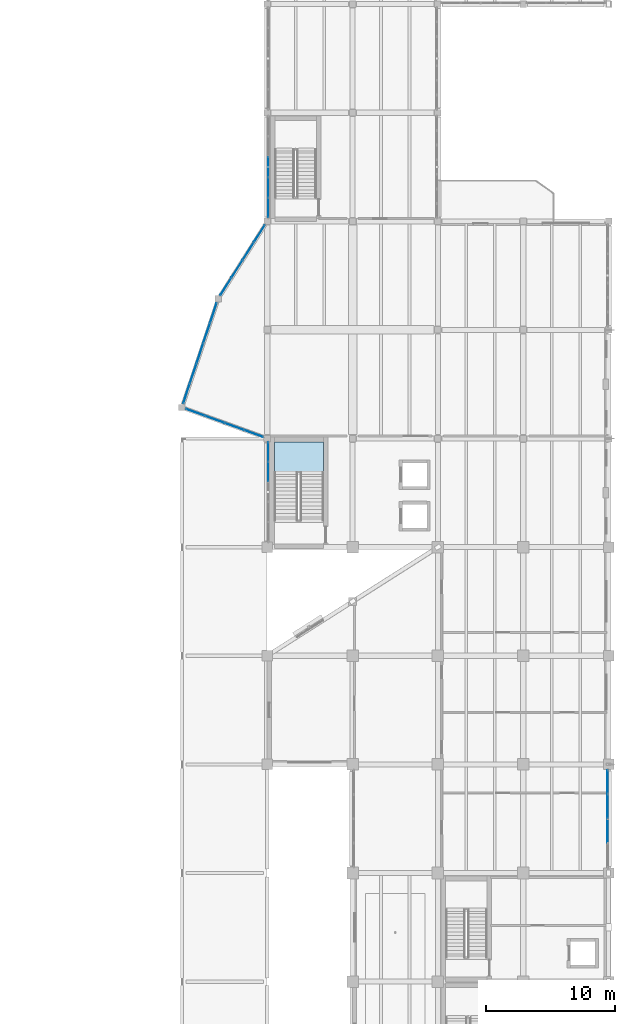
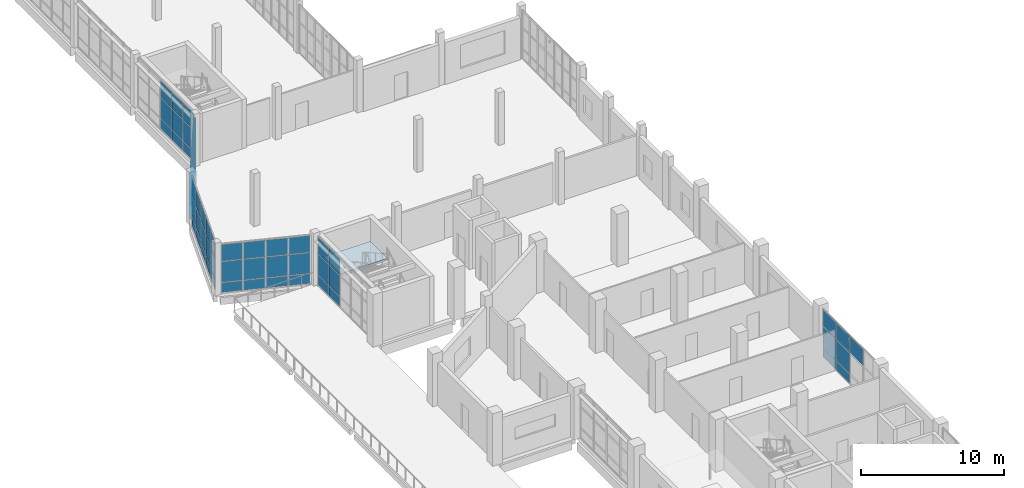
# One storey, part 44 of 83: 61 plates, 1 slab, 7 elements without a shape of their own.
"""IFC4 building model written with IfcOpenShell, lengths in metres."""

import ifcopenshell
import ifcopenshell.guid

model = None  # the IFC model being written
_history = None  # IfcOwnerHistory: only IFC2X3 demands one
_inside = {}  # id of a spatial element -> (the spatial element, [elements in it])
_under = {}  # id of a project, library or spatial element -> (it, [spatial elements below it])
_declared = {}  # id of a project -> (the project, [libraries it declares])
_typed = {}  # id of a type object -> (the type object, [elements of that type])
_made_of = {}  # id of a material, layer set ... -> (it, [elements and type objects made of it])


def new_model(schema):
    """Start an empty IFC model of exactly this schema.

    Asked for "IFC4X3", IfcOpenShell would pick the latest addendum, in which some entities
    have other attributes; the version numbers below select the first issue.
    IFC2X3 requires an IfcOwnerHistory on every rooted entity: one is made here for all.
    """
    global model, _history
    if schema == "IFC4X3":
        model = ifcopenshell.file(schema_version=(4, 3, 0, 0))
    else:
        model = ifcopenshell.file(schema=schema)
    _inside.clear()
    _under.clear()
    _declared.clear()
    _typed.clear()
    _made_of.clear()
    _history = None
    if model.schema == "IFC2X3":
        org = make("IfcOrganization", Name="unknown")
        user = make(
            "IfcPersonAndOrganization",
            ThePerson=make("IfcPerson", FamilyName="unknown"),
            TheOrganization=org,
        )
        app = make(
            "IfcApplication",
            ApplicationDeveloper=org,
            Version="unknown",
            ApplicationFullName="unknown",
            ApplicationIdentifier="unknown",
        )
        _history = make(
            "IfcOwnerHistory",
            OwningUser=user,
            OwningApplication=app,
            ChangeAction="ADDED",
            CreationDate=0,
        )
    return model


def make(cls, **values):
    """One entity of the class cls with the attributes given. An attribute that is None is left unset."""
    return model.create_entity(
        cls, **{name: value for name, value in values.items() if value is not None}
    )


def rooted(cls, **values):
    """An entity with a GlobalId (a new one), such as an element, a storey or a relation."""
    return make(cls, GlobalId=ifcopenshell.guid.new(), OwnerHistory=_history, **values)


def si_unit(unit_type, name, prefix=None):
    """IfcSIUnit, for example si_unit("LENGTHUNIT", "METRE", prefix="MILLI")."""
    return make("IfcSIUnit", UnitType=unit_type, Prefix=prefix, Name=name)


def assignment(units):
    """IfcUnitAssignment: the units of a project."""
    return None if units is None else make("IfcUnitAssignment", Units=units)


def point(xyz):
    """IfcCartesianPoint."""
    return None if xyz is None else make("IfcCartesianPoint", Coordinates=xyz)


def direction(xyz):
    """IfcDirection."""
    return None if xyz is None else make("IfcDirection", DirectionRatios=xyz)


def frame(location, z_axis=None, x_axis=None):
    """IfcAxis2Placement3D, a coordinate frame: its origin and axes. An axis left out is left unset."""
    return make(
        "IfcAxis2Placement3D",
        Location=point(location),
        Axis=direction(z_axis),
        RefDirection=direction(x_axis),
    )


def frame_2d(location, x_axis=None):
    """IfcAxis2Placement2D, a coordinate frame in the plane: its origin and x axis."""
    return make(
        "IfcAxis2Placement2D", Location=point(location), RefDirection=direction(x_axis)
    )


def origin():
    """The frame at (0, 0, 0) with its axes left unset."""
    return frame((0.0, 0.0, 0.0))


def origin_2d():
    """The frame at (0, 0) in the plane with its x axis left unset."""
    return frame_2d((0.0, 0.0))


def place(relative_to, where):
    """IfcLocalPlacement: puts the frame where relative to a parent placement (None: the world)."""
    return make(
        "IfcLocalPlacement", PlacementRelTo=relative_to, RelativePlacement=where
    )


def context(
    kind, dimensions, precision=None, world=None, true_north=None, identifier=None
):
    """IfcGeometricRepresentationContext, for example the 3D "Model" context."""
    return make(
        "IfcGeometricRepresentationContext",
        ContextIdentifier=identifier,
        ContextType=kind,
        CoordinateSpaceDimension=dimensions,
        Precision=precision,
        WorldCoordinateSystem=world,
        TrueNorth=true_north,
    )


def subcontext(parent, identifier, kind, view, scale=None):
    """IfcGeometricRepresentationSubContext, for example "Body" below "Model"."""
    return make(
        "IfcGeometricRepresentationSubContext",
        ContextIdentifier=identifier,
        ContextType=kind,
        ParentContext=parent,
        TargetScale=scale,
        TargetView=view,
    )


def project(units=None, contexts=None):
    """IfcProject with its units and contexts."""
    return rooted(
        "IfcProject",
        Name="project",
        RepresentationContexts=contexts,
        UnitsInContext=assignment(units),
    )


def spatial(cls, under=None, at=None, **own):
    """A site, building, storey or space (cls), placed at a placement, below another one or the project."""
    s = rooted(cls, ObjectPlacement=at, **own)
    if under is not None:
        _under.setdefault(under.id(), (under, []))[1].append(s)
    return s


def polyline(points):
    """IfcPolyline through the points."""
    return make("IfcPolyline", Points=[point(p) for p in points])


def profile(cls, at=None, kind="AREA", **sizes):
    """A parametric profile (cls). Its sizes go by their IFC names, for example OverallWidth=200.0."""
    return make(cls, ProfileType=kind, Position=at, **sizes)


def rectangle(**sizes):
    """IfcRectangleProfileDef."""
    return profile("IfcRectangleProfileDef", **sizes)


def outline(outer, holes=None, kind="AREA"):
    """IfcArbitraryClosedProfileDef: a profile drawn as a closed curve; with holes, ...WithVoids."""
    if holes is None:
        return make("IfcArbitraryClosedProfileDef", ProfileType=kind, OuterCurve=outer)
    return make(
        "IfcArbitraryProfileDefWithVoids",
        ProfileType=kind,
        OuterCurve=outer,
        InnerCurves=holes,
    )


def extrude(swept, where, along, depth):
    """IfcExtrudedAreaSolid: the profile swept, set in the frame where, extruded along a direction by depth."""
    return make(
        "IfcExtrudedAreaSolid",
        SweptArea=swept,
        Position=where,
        ExtrudedDirection=direction(along),
        Depth=depth,
    )


def shape(context_of_items, identifier, shape_type, items):
    """IfcShapeRepresentation: the items that make up one representation, for example the "Body"."""
    return make(
        "IfcShapeRepresentation",
        ContextOfItems=context_of_items,
        RepresentationIdentifier=identifier,
        RepresentationType=shape_type,
        Items=items,
    )


def material(Name=None, Category=None):
    """IfcMaterial."""
    return make("IfcMaterial", Name=Name, Category=Category)


def layer(
    of_material, thickness, ventilated=None, Name=None, Category=None, Priority=None
):
    """IfcMaterialLayer: one layer of a wall or slab, of a material (None: an air gap)."""
    return make(
        "IfcMaterialLayer",
        Material=of_material,
        LayerThickness=thickness,
        IsVentilated=ventilated,
        Name=Name,
        Category=Category,
        Priority=Priority,
    )


def layer_set(layers, Name=None):
    """IfcMaterialLayerSet."""
    return make("IfcMaterialLayerSet", MaterialLayers=layers, LayerSetName=Name)


def made_of(thing, what):
    """Note that an element or type object is made of a material, layer set ...; save() writes the relation."""
    if what is not None:
        _made_of.setdefault(what.id(), (what, []))[1].append(thing)
    return thing


def type_object(cls, material=None, **own):
    """A type object (cls), such as IfcWallType, which elements share."""
    return made_of(rooted(cls, **own), material)


def element(
    cls,
    number,
    at=None,
    inside=None,
    cuts=None,
    type_object=None,
    material=None,
    context=None,
    identifier="Body",
    shape_type=None,
    held_by="IfcProductDefinitionShape",
    body=None,
    shapes=None,
    **own,
):
    """One element of the class cls, such as IfcWall. Its Tag is "e" and its number.

    at: its placement. inside: the storey or other place that contains it. cuts: it is an
    opening in that element (IfcRelVoidsElement). A single representation is given by context,
    identifier, shape_type and body (its items); several are given by shapes. held_by: the class
    of the entity that holds the representations. save() writes the other relations.
    """
    e = rooted(cls, Tag="e%d" % number, ObjectPlacement=at, **own)
    if body is not None:
        shapes = [shape(context, identifier, shape_type, body)]
    if shapes is not None:
        e.Representation = make(held_by, Representations=shapes)
    if inside is not None:
        _inside.setdefault(inside.id(), (inside, []))[1].append(e)
    if cuts is not None:
        rooted(
            "IfcRelVoidsElement", RelatingBuildingElement=cuts, RelatedOpeningElement=e
        )
    if type_object is not None:
        _typed.setdefault(type_object.id(), (type_object, []))[1].append(e)
    return made_of(e, material)


def aggregate(whole, parts):
    """IfcRelAggregates: a whole, such as a stair, and the parts it consists of."""
    return rooted("IfcRelAggregates", RelatingObject=whole, RelatedObjects=parts)


def save(model, path):
    """Write the relations noted so far, then the file.

    IfcRelAggregates (storeys below a building ...), IfcRelContainedInSpatialStructure (elements
    in a storey), IfcRelDefinesByType, IfcRelAssociatesMaterial and IfcRelDeclares: one each for
    every whole, place, type object, material and project.
    """
    for whole, parts in _under.values():
        aggregate(whole, parts)
    for where, things in _inside.values():
        rooted(
            "IfcRelContainedInSpatialStructure",
            RelatedElements=things,
            RelatingStructure=where,
        )
    for kind, things in _typed.values():
        rooted("IfcRelDefinesByType", RelatedObjects=things, RelatingType=kind)
    for what, things in _made_of.values():
        rooted("IfcRelAssociatesMaterial", RelatedObjects=things, RelatingMaterial=what)
    for by, libraries in _declared.values():
        rooted("IfcRelDeclares", RelatingContext=by, RelatedDefinitions=libraries)
    model.write(path)


model = new_model("IFC4")

# Units and contexts
model_context = context("Model", 3, precision=1e-05, world=origin(), true_north=direction((0.0, 1.0)))
body_context = subcontext(model_context, "Body", "Model", "MODEL_VIEW")
ifc_project = project(units=[si_unit("LENGTHUNIT", "METRE"), si_unit("AREAUNIT", "SQUARE_METRE"), si_unit("VOLUMEUNIT", "CUBIC_METRE"), si_unit("PLANEANGLEUNIT", "RADIAN"), si_unit("MASSUNIT", "GRAM", prefix="KILO")], contexts=[model_context])

# Site, building, storey
site_placement = place(None, origin())
site = spatial("IfcSite", under=ifc_project, at=site_placement, CompositionType="ELEMENT")
building_placement = place(site_placement, origin())
building = spatial("IfcBuilding", under=site, at=building_placement, Name="Qaldarim Faculty of Natural and Applied Sciences", CompositionType="ELEMENT")
storey_placement = place(building_placement, frame((0.0, 0.0, 5.39990234375)))
storey = spatial("IfcBuildingStorey", under=building, at=storey_placement, Name="L01", CompositionType="ELEMENT", Elevation=5.39990234375)

# Curtain wall, plates
ifc_material_1 = material(Name="Anodised aluminium AW-6063", Category="aluminium")
curtain_wall_type_1 = type_object("IfcCurtainWallType", Name="CurtainWallSystem-M1700", PredefinedType="USERDEFINED", material=ifc_material_1)
curtain_wall_1_placement = place(storey_placement, origin())
curtain_wall_1 = element("IfcCurtainWall", 1, at=curtain_wall_1_placement, inside=storey, type_object=curtain_wall_type_1, Name="Curtain wall CW-L01-E-X27Y05", ObjectType="UNITISED FACADE", PredefinedType="USERDEFINED")
ifc_material_2 = material(Name="Insulated low-e double glazing", Category="glass")
ifc_layer_1 = layer(ifc_material_2, 0.031982421875)
ifc_layer_set_1 = layer_set([ifc_layer_1], Name="Insulated low-e double glazing")
plate_type_1 = type_object("IfcPlateType", Name="SolarControlGlazingPanel-32", PredefinedType="CURTAIN_PANEL", material=ifc_layer_set_1)
plate_1_placement = place(storey_placement, frame((178.1201171875, 36.8486328125, 2.735107421875), z_axis=(0.0, 0.0, 1.0), x_axis=(0.0, 1.0, 0.0)))
plate_1 = element("IfcPlate", 2, at=plate_1_placement, type_object=plate_type_1, Name="Glazed panel 2-3 of CW-L01-E-X27Y05", PredefinedType="CURTAIN_PANEL", context=body_context, shape_type="SweptSolid", body=[
    extrude(rectangle(XDim=1.83251953125, YDim=0.031982421875, at=origin_2d()), origin(), (0.0, 0.0, 1.0), 1.39501953125),
])
plate_2_placement = place(storey_placement, frame((178.1201171875, 38.751220703125, 0.070068359375), z_axis=(0.0, 0.0, 1.0), x_axis=(0.0, 1.0, 0.0)))
plate_2 = element("IfcPlate", 3, at=plate_2_placement, type_object=plate_type_1, Name="Glazed panel 3-1 of CW-L01-E-X27Y05", PredefinedType="CURTAIN_PANEL", context=body_context, shape_type="SweptSolid", body=[
    extrude(rectangle(XDim=1.83251953125, YDim=0.031982421875, at=origin_2d()), origin(), (0.0, 0.0, 1.0), 0.794921875),
])
plate_3_placement = place(storey_placement, frame((178.1201171875, 38.751220703125, 0.93505859375), z_axis=(0.0, 0.0, 1.0), x_axis=(0.0, 1.0, 0.0)))
plate_3 = element("IfcPlate", 4, at=plate_3_placement, type_object=plate_type_1, Name="Glazed panel 3-2 of CW-L01-E-X27Y05", PredefinedType="CURTAIN_PANEL", context=body_context, shape_type="SweptSolid", body=[
    extrude(rectangle(XDim=1.83251953125, YDim=0.031982421875, at=origin_2d()), origin(), (0.0, 0.0, 1.0), 1.72998046875),
])
plate_4_placement = place(storey_placement, frame((178.1201171875, 38.751220703125, 2.735107421875), z_axis=(0.0, 0.0, 1.0), x_axis=(0.0, 1.0, 0.0)))
plate_4 = element("IfcPlate", 5, at=plate_4_placement, type_object=plate_type_1, Name="Glazed panel 3-3 of CW-L01-E-X27Y05", PredefinedType="CURTAIN_PANEL", context=body_context, shape_type="SweptSolid", body=[
    extrude(rectangle(XDim=1.83251953125, YDim=0.031982421875, at=origin_2d()), origin(), (0.0, 0.0, 1.0), 1.39501953125),
])
plate_5_placement = place(storey_placement, frame((178.1201171875, 40.63623046875, 0.070068359375), z_axis=(0.0, 0.0, 1.0), x_axis=(0.0, 1.0, 0.0)))
plate_5 = element("IfcPlate", 6, at=plate_5_placement, type_object=plate_type_1, Name="Glazed panel 4-1 of CW-L01-E-X27Y05", PredefinedType="CURTAIN_PANEL", context=body_context, shape_type="SweptSolid", body=[
    extrude(rectangle(XDim=1.797607421875, YDim=0.031982421875, at=origin_2d()), origin(), (0.0, 0.0, 1.0), 0.794921875),
])
plate_6_placement = place(storey_placement, frame((178.1201171875, 40.63623046875, 0.93505859375), z_axis=(0.0, 0.0, 1.0), x_axis=(0.0, 1.0, 0.0)))
plate_6 = element("IfcPlate", 7, at=plate_6_placement, type_object=plate_type_1, Name="Glazed panel 4-2 of CW-L01-E-X27Y05", PredefinedType="CURTAIN_PANEL", context=body_context, shape_type="SweptSolid", body=[
    extrude(rectangle(XDim=1.797607421875, YDim=0.031982421875, at=origin_2d()), origin(), (0.0, 0.0, 1.0), 1.72998046875),
])
plate_7_placement = place(storey_placement, frame((178.1201171875, 40.63623046875, 2.735107421875), z_axis=(0.0, 0.0, 1.0), x_axis=(0.0, 1.0, 0.0)))
plate_7 = element("IfcPlate", 8, at=plate_7_placement, type_object=plate_type_1, Name="Glazed panel 4-3 of CW-L01-E-X27Y05", PredefinedType="CURTAIN_PANEL", context=body_context, shape_type="SweptSolid", body=[
    extrude(rectangle(XDim=1.797607421875, YDim=0.031982421875, at=origin_2d()), origin(), (0.0, 0.0, 1.0), 1.39501953125),
])
aggregate(curtain_wall_1, [plate_1, plate_2, plate_3, plate_4, plate_5, plate_6, plate_7])

# Stair, slab
ifc_material_3 = material(Name="Concrete C40/50", Category="concrete")
stair_type = type_object("IfcStairType", Name="DoglegStair-W1800-H4500-28R", PredefinedType="HALF_TURN_STAIR", material=ifc_material_3)
stair_placement = place(storey_placement, origin())
stair = element("IfcStair", 9, at=stair_placement, inside=storey, type_object=stair_type, Name="Enclosed exit stair ST-C1 L01", PredefinedType="HALF_TURN_STAIR")
ifc_layer_2 = layer(ifc_material_3, 0.2099609375)
ifc_layer_set_2 = layer_set([ifc_layer_2], Name="Concrete C40/50")
slab_type = type_object("IfcSlabType", Name="StairLandingSlab-210", PredefinedType="LANDING", material=ifc_layer_set_2)
slab_placement = place(storey_placement, frame((0.0, 0.0, 2.0400390625)))
slab = element("IfcSlab", 10, at=slab_placement, type_object=slab_type, Name="ST-C1 L01 half-landing 1", PredefinedType="LANDING", context=body_context, shape_type="SweptSolid", body=[
    extrude(outline(polyline([(156.14990234375, 64.5400390625), (156.14990234375, 66.949951171875), (152.35009765625, 66.949951171875), (152.35009765625, 64.5400390625), (156.14990234375, 64.5400390625)])), origin(), (0.0, 0.0, 1.0), 0.2099609375),
])
aggregate(stair, [slab])

# Curtain wall, plates
curtain_wall_type_2 = type_object("IfcCurtainWallType", Name="CurtainWallSystem-M1600", PredefinedType="USERDEFINED", material=ifc_material_1)
curtain_wall_2_placement = place(storey_placement, origin())
curtain_wall_2 = element("IfcCurtainWall", 11, at=curtain_wall_2_placement, inside=storey, type_object=curtain_wall_type_2, Name="Curtain wall CW-L01-W-X24Y08", ObjectType="UNITISED FACADE", PredefinedType="USERDEFINED")
ifc_layer_3 = layer(ifc_material_2, 0.028076171875)
ifc_layer_set_3 = layer_set([ifc_layer_3], Name="Insulated low-e double glazing")
plate_type_2 = type_object("IfcPlateType", Name="VisionGlazingPanel-28", PredefinedType="CURTAIN_PANEL", material=ifc_layer_set_3)
plate_8_placement = place(storey_placement, frame((151.8798828125, 66.1640625, 0.06005859375), z_axis=(0.0, 0.0, 1.0), x_axis=(0.0, -1.0, 0.0)))
plate_8 = element("IfcPlate", 12, at=plate_8_placement, type_object=plate_type_2, Name="Glazed panel 1-1 of CW-L01-W-X24Y08", PredefinedType="CURTAIN_PANEL", context=body_context, shape_type="SweptSolid", body=[
    extrude(rectangle(XDim=1.4619140625, YDim=0.028076171875, at=origin_2d()), origin(), (0.0, 0.0, 1.0), 0.81005859375),
])
plate_9_placement = place(storey_placement, frame((151.8798828125, 66.1640625, 0.93017578125), z_axis=(0.0, 0.0, 1.0), x_axis=(0.0, -1.0, 0.0)))
plate_9 = element("IfcPlate", 13, at=plate_9_placement, type_object=plate_type_2, Name="Glazed panel 1-2 of CW-L01-W-X24Y08", PredefinedType="CURTAIN_PANEL", context=body_context, shape_type="SweptSolid", body=[
    extrude(rectangle(XDim=1.4619140625, YDim=0.028076171875, at=origin_2d()), origin(), (0.0, 0.0, 1.0), 1.739990234375),
])
plate_10_placement = place(storey_placement, frame((151.8798828125, 66.1640625, 2.72998046875), z_axis=(0.0, 0.0, 1.0), x_axis=(0.0, -1.0, 0.0)))
plate_10 = element("IfcPlate", 14, at=plate_10_placement, type_object=plate_type_2, Name="Glazed panel 1-3 of CW-L01-W-X24Y08", PredefinedType="CURTAIN_PANEL", context=body_context, shape_type="SweptSolid", body=[
    extrude(rectangle(XDim=1.4619140625, YDim=0.028076171875, at=origin_2d()), origin(), (0.0, 0.0, 1.0), 1.409912109375),
])
plate_11_placement = place(storey_placement, frame((151.8798828125, 64.626953125, 0.06005859375), z_axis=(0.0, 0.0, 1.0), x_axis=(0.0, -1.0, 0.0)))
plate_11 = element("IfcPlate", 15, at=plate_11_placement, type_object=plate_type_2, Name="Glazed panel 2-1 of CW-L01-W-X24Y08", PredefinedType="CURTAIN_PANEL", context=body_context, shape_type="SweptSolid", body=[
    extrude(rectangle(XDim=1.491943359375, YDim=0.028076171875, at=origin_2d()), origin(), (0.0, 0.0, 1.0), 0.81005859375),
])
plate_12_placement = place(storey_placement, frame((151.8798828125, 64.626953125, 0.93017578125), z_axis=(0.0, 0.0, 1.0), x_axis=(0.0, -1.0, 0.0)))
plate_12 = element("IfcPlate", 16, at=plate_12_placement, type_object=plate_type_2, Name="Glazed panel 2-2 of CW-L01-W-X24Y08", PredefinedType="CURTAIN_PANEL", context=body_context, shape_type="SweptSolid", body=[
    extrude(rectangle(XDim=1.491943359375, YDim=0.028076171875, at=origin_2d()), origin(), (0.0, 0.0, 1.0), 1.739990234375),
])
plate_13_placement = place(storey_placement, frame((151.8798828125, 64.626953125, 2.72998046875), z_axis=(0.0, 0.0, 1.0), x_axis=(0.0, -1.0, 0.0)))
plate_13 = element("IfcPlate", 17, at=plate_13_placement, type_object=plate_type_2, Name="Glazed panel 2-3 of CW-L01-W-X24Y08", PredefinedType="CURTAIN_PANEL", context=body_context, shape_type="SweptSolid", body=[
    extrude(rectangle(XDim=1.491943359375, YDim=0.028076171875, at=origin_2d()), origin(), (0.0, 0.0, 1.0), 1.409912109375),
])
aggregate(curtain_wall_2, [plate_8, plate_9, plate_10, plate_11, plate_12, plate_13])

curtain_wall_3_placement = place(storey_placement, origin())
curtain_wall_3 = element("IfcCurtainWall", 18, at=curtain_wall_3_placement, inside=storey, type_object=curtain_wall_type_2, Name="Curtain wall CW-L01-W-X24Y11", ObjectType="UNITISED FACADE", PredefinedType="USERDEFINED")
plate_14_placement = place(storey_placement, frame((151.8798828125, 88.199951171875, 0.06005859375), z_axis=(0.0, 0.0, 1.0), x_axis=(0.0, -1.0, 0.0)))
plate_14 = element("IfcPlate", 19, at=plate_14_placement, type_object=plate_type_2, Name="Glazed panel 3-1 of CW-L01-W-X24Y11", PredefinedType="CURTAIN_PANEL", context=body_context, shape_type="SweptSolid", body=[
    extrude(rectangle(XDim=1.52197265625, YDim=0.028076171875, at=origin_2d()), origin(), (0.0, 0.0, 1.0), 0.81005859375),
])
plate_15_placement = place(storey_placement, frame((151.8798828125, 88.199951171875, 0.93017578125), z_axis=(0.0, 0.0, 1.0), x_axis=(0.0, -1.0, 0.0)))
plate_15 = element("IfcPlate", 20, at=plate_15_placement, type_object=plate_type_2, Name="Glazed panel 3-2 of CW-L01-W-X24Y11", PredefinedType="CURTAIN_PANEL", context=body_context, shape_type="SweptSolid", body=[
    extrude(rectangle(XDim=1.52197265625, YDim=0.028076171875, at=origin_2d()), origin(), (0.0, 0.0, 1.0), 1.739990234375),
])
plate_16_placement = place(storey_placement, frame((151.8798828125, 88.199951171875, 2.72998046875), z_axis=(0.0, 0.0, 1.0), x_axis=(0.0, -1.0, 0.0)))
plate_16 = element("IfcPlate", 21, at=plate_16_placement, type_object=plate_type_2, Name="Glazed panel 3-3 of CW-L01-W-X24Y11", PredefinedType="CURTAIN_PANEL", context=body_context, shape_type="SweptSolid", body=[
    extrude(rectangle(XDim=1.52197265625, YDim=0.028076171875, at=origin_2d()), origin(), (0.0, 0.0, 1.0), 1.409912109375),
])
plate_17_placement = place(storey_placement, frame((151.8798828125, 86.617919921875, 0.06005859375), z_axis=(0.0, 0.0, 1.0), x_axis=(0.0, -1.0, 0.0)))
plate_17 = element("IfcPlate", 22, at=plate_17_placement, type_object=plate_type_2, Name="Glazed panel 4-1 of CW-L01-W-X24Y11", PredefinedType="CURTAIN_PANEL", context=body_context, shape_type="SweptSolid", body=[
    extrude(rectangle(XDim=1.52197265625, YDim=0.028076171875, at=origin_2d()), origin(), (0.0, 0.0, 1.0), 0.81005859375),
])
plate_18_placement = place(storey_placement, frame((151.8798828125, 86.617919921875, 0.93017578125), z_axis=(0.0, 0.0, 1.0), x_axis=(0.0, -1.0, 0.0)))
plate_18 = element("IfcPlate", 23, at=plate_18_placement, type_object=plate_type_2, Name="Glazed panel 4-2 of CW-L01-W-X24Y11", PredefinedType="CURTAIN_PANEL", context=body_context, shape_type="SweptSolid", body=[
    extrude(rectangle(XDim=1.52197265625, YDim=0.028076171875, at=origin_2d()), origin(), (0.0, 0.0, 1.0), 1.739990234375),
])
plate_19_placement = place(storey_placement, frame((151.8798828125, 86.617919921875, 2.72998046875), z_axis=(0.0, 0.0, 1.0), x_axis=(0.0, -1.0, 0.0)))
plate_19 = element("IfcPlate", 24, at=plate_19_placement, type_object=plate_type_2, Name="Glazed panel 4-3 of CW-L01-W-X24Y11", PredefinedType="CURTAIN_PANEL", context=body_context, shape_type="SweptSolid", body=[
    extrude(rectangle(XDim=1.52197265625, YDim=0.028076171875, at=origin_2d()), origin(), (0.0, 0.0, 1.0), 1.409912109375),
])
plate_20_placement = place(storey_placement, frame((151.8798828125, 85.051025390625, 0.06005859375), z_axis=(0.0, 0.0, 1.0), x_axis=(0.0, -1.0, 0.0)))
plate_20 = element("IfcPlate", 25, at=plate_20_placement, type_object=plate_type_2, Name="Glazed panel 5-1 of CW-L01-W-X24Y11", PredefinedType="CURTAIN_PANEL", context=body_context, shape_type="SweptSolid", body=[
    extrude(rectangle(XDim=1.491943359375, YDim=0.028076171875, at=origin_2d()), origin(), (0.0, 0.0, 1.0), 0.81005859375),
])
plate_21_placement = place(storey_placement, frame((151.8798828125, 85.051025390625, 0.93017578125), z_axis=(0.0, 0.0, 1.0), x_axis=(0.0, -1.0, 0.0)))
plate_21 = element("IfcPlate", 26, at=plate_21_placement, type_object=plate_type_2, Name="Glazed panel 5-2 of CW-L01-W-X24Y11", PredefinedType="CURTAIN_PANEL", context=body_context, shape_type="SweptSolid", body=[
    extrude(rectangle(XDim=1.491943359375, YDim=0.028076171875, at=origin_2d()), origin(), (0.0, 0.0, 1.0), 1.739990234375),
])
plate_22_placement = place(storey_placement, frame((151.8798828125, 85.051025390625, 2.72998046875), z_axis=(0.0, 0.0, 1.0), x_axis=(0.0, -1.0, 0.0)))
plate_22 = element("IfcPlate", 27, at=plate_22_placement, type_object=plate_type_2, Name="Glazed panel 5-3 of CW-L01-W-X24Y11", PredefinedType="CURTAIN_PANEL", context=body_context, shape_type="SweptSolid", body=[
    extrude(rectangle(XDim=1.491943359375, YDim=0.028076171875, at=origin_2d()), origin(), (0.0, 0.0, 1.0), 1.409912109375),
])
aggregate(curtain_wall_3, [plate_14, plate_15, plate_16, plate_17, plate_18, plate_19, plate_20, plate_21, plate_22])

curtain_wall_4_placement = place(storey_placement, origin())
curtain_wall_4 = element("IfcCurtainWall", 28, at=curtain_wall_4_placement, inside=storey, type_object=curtain_wall_type_2, Name="Curtain wall CW-PROW-L01-1", ObjectType="UNITISED FACADE", PredefinedType="USERDEFINED")
plate_23_placement = place(storey_placement, frame((151.197021484375, 83.046142578125, 0.06005859375), z_axis=(0.0, 0.0, 1.0), x_axis=(-0.535384632481, -0.844608368004, 0.0)))
plate_23 = element("IfcPlate", 29, at=plate_23_placement, type_object=plate_type_2, Name="Glazed panel 1-1 of CW-PROW-L01-1", PredefinedType="CURTAIN_PANEL", context=body_context, shape_type="SweptSolid", body=[
    extrude(rectangle(XDim=1.534912109375, YDim=0.028076171875, at=origin_2d()), origin(), (0.0, 0.0, 1.0), 0.81005859375),
])
plate_24_placement = place(storey_placement, frame((151.197021484375, 83.046142578125, 0.93017578125), z_axis=(0.0, 0.0, 1.0), x_axis=(-0.535384632481, -0.844608368004, 0.0)))
plate_24 = element("IfcPlate", 30, at=plate_24_placement, type_object=plate_type_2, Name="Glazed panel 1-2 of CW-PROW-L01-1", PredefinedType="CURTAIN_PANEL", context=body_context, shape_type="SweptSolid", body=[
    extrude(rectangle(XDim=1.534912109375, YDim=0.028076171875, at=origin_2d()), origin(), (0.0, 0.0, 1.0), 1.739990234375),
])
plate_25_placement = place(storey_placement, frame((151.197021484375, 83.046142578125, 2.72998046875), z_axis=(0.0, 0.0, 1.0), x_axis=(-0.535384632481, -0.844608368004, 0.0)))
plate_25 = element("IfcPlate", 31, at=plate_25_placement, type_object=plate_type_2, Name="Glazed panel 1-3 of CW-PROW-L01-1", PredefinedType="CURTAIN_PANEL", context=body_context, shape_type="SweptSolid", body=[
    extrude(rectangle(XDim=1.534912109375, YDim=0.028076171875, at=origin_2d()), origin(), (0.0, 0.0, 1.0), 1.409912109375),
])
plate_26_placement = place(storey_placement, frame((150.3349609375, 81.686279296875, 0.06005859375), z_axis=(0.0, 0.0, 1.0), x_axis=(-0.535384632481, -0.844608368004, 0.0)))
plate_26 = element("IfcPlate", 32, at=plate_26_placement, type_object=plate_type_2, Name="Glazed panel 2-1 of CW-PROW-L01-1", PredefinedType="CURTAIN_PANEL", context=body_context, shape_type="SweptSolid", body=[
    extrude(rectangle(XDim=1.56494140625, YDim=0.028076171875, at=origin_2d()), origin(), (0.0, 0.0, 1.0), 0.81005859375),
])
plate_27_placement = place(storey_placement, frame((150.3349609375, 81.686279296875, 0.93017578125), z_axis=(0.0, 0.0, 1.0), x_axis=(-0.535384632481, -0.844608368004, 0.0)))
plate_27 = element("IfcPlate", 33, at=plate_27_placement, type_object=plate_type_2, Name="Glazed panel 2-2 of CW-PROW-L01-1", PredefinedType="CURTAIN_PANEL", context=body_context, shape_type="SweptSolid", body=[
    extrude(rectangle(XDim=1.56494140625, YDim=0.028076171875, at=origin_2d()), origin(), (0.0, 0.0, 1.0), 1.739990234375),
])
plate_28_placement = place(storey_placement, frame((150.3349609375, 81.686279296875, 2.72998046875), z_axis=(0.0, 0.0, 1.0), x_axis=(-0.535384632481, -0.844608368004, 0.0)))
plate_28 = element("IfcPlate", 34, at=plate_28_placement, type_object=plate_type_2, Name="Glazed panel 2-3 of CW-PROW-L01-1", PredefinedType="CURTAIN_PANEL", context=body_context, shape_type="SweptSolid", body=[
    extrude(rectangle(XDim=1.56494140625, YDim=0.028076171875, at=origin_2d()), origin(), (0.0, 0.0, 1.0), 1.409912109375),
])
plate_29_placement = place(storey_placement, frame((149.465087890625, 80.313720703125, 0.06005859375), z_axis=(0.0, 0.0, 1.0), x_axis=(-0.535384632481, -0.844608368004, 0.0)))
plate_29 = element("IfcPlate", 35, at=plate_29_placement, type_object=plate_type_2, Name="Glazed panel 3-1 of CW-PROW-L01-1", PredefinedType="CURTAIN_PANEL", context=body_context, shape_type="SweptSolid", body=[
    extrude(rectangle(XDim=1.56494140625, YDim=0.028076171875, at=origin_2d()), origin(), (0.0, 0.0, 1.0), 0.81005859375),
])
plate_30_placement = place(storey_placement, frame((149.465087890625, 80.313720703125, 0.93017578125), z_axis=(0.0, 0.0, 1.0), x_axis=(-0.535384632481, -0.844608368004, 0.0)))
plate_30 = element("IfcPlate", 36, at=plate_30_placement, type_object=plate_type_2, Name="Glazed panel 3-2 of CW-PROW-L01-1", PredefinedType="CURTAIN_PANEL", context=body_context, shape_type="SweptSolid", body=[
    extrude(rectangle(XDim=1.56494140625, YDim=0.028076171875, at=origin_2d()), origin(), (0.0, 0.0, 1.0), 1.739990234375),
])
plate_31_placement = place(storey_placement, frame((149.465087890625, 80.313720703125, 2.72998046875), z_axis=(0.0, 0.0, 1.0), x_axis=(-0.535384632481, -0.844608368004, 0.0)))
plate_31 = element("IfcPlate", 37, at=plate_31_placement, type_object=plate_type_2, Name="Glazed panel 3-3 of CW-PROW-L01-1", PredefinedType="CURTAIN_PANEL", context=body_context, shape_type="SweptSolid", body=[
    extrude(rectangle(XDim=1.56494140625, YDim=0.028076171875, at=origin_2d()), origin(), (0.0, 0.0, 1.0), 1.409912109375),
])
plate_32_placement = place(storey_placement, frame((148.60302734375, 78.953857421875, 0.06005859375), z_axis=(0.0, 0.0, 1.0), x_axis=(-0.535384632481, -0.844608368004, 0.0)))
plate_32 = element("IfcPlate", 38, at=plate_32_placement, type_object=plate_type_2, Name="Glazed panel 4-1 of CW-PROW-L01-1", PredefinedType="CURTAIN_PANEL", context=body_context, shape_type="SweptSolid", body=[
    extrude(rectangle(XDim=1.534912109375, YDim=0.028076171875, at=origin_2d()), origin(), (0.0, 0.0, 1.0), 0.81005859375),
])
plate_33_placement = place(storey_placement, frame((148.60302734375, 78.953857421875, 0.93017578125), z_axis=(0.0, 0.0, 1.0), x_axis=(-0.535384632481, -0.844608368004, 0.0)))
plate_33 = element("IfcPlate", 39, at=plate_33_placement, type_object=plate_type_2, Name="Glazed panel 4-2 of CW-PROW-L01-1", PredefinedType="CURTAIN_PANEL", context=body_context, shape_type="SweptSolid", body=[
    extrude(rectangle(XDim=1.534912109375, YDim=0.028076171875, at=origin_2d()), origin(), (0.0, 0.0, 1.0), 1.739990234375),
])
plate_34_placement = place(storey_placement, frame((148.60302734375, 78.953857421875, 2.72998046875), z_axis=(0.0, 0.0, 1.0), x_axis=(-0.535384632481, -0.844608368004, 0.0)))
plate_34 = element("IfcPlate", 40, at=plate_34_placement, type_object=plate_type_2, Name="Glazed panel 4-3 of CW-PROW-L01-1", PredefinedType="CURTAIN_PANEL", context=body_context, shape_type="SweptSolid", body=[
    extrude(rectangle(XDim=1.534912109375, YDim=0.028076171875, at=origin_2d()), origin(), (0.0, 0.0, 1.0), 1.409912109375),
])
aggregate(curtain_wall_4, [plate_23, plate_24, plate_25, plate_26, plate_27, plate_28, plate_29, plate_30, plate_31, plate_32, plate_33, plate_34])

curtain_wall_5_placement = place(storey_placement, origin())
curtain_wall_5 = element("IfcCurtainWall", 41, at=curtain_wall_5_placement, inside=storey, type_object=curtain_wall_type_2, Name="Curtain wall CW-PROW-L01-2", ObjectType="UNITISED FACADE", PredefinedType="USERDEFINED")
plate_35_placement = place(storey_placement, frame((147.639404296875, 76.917724609375, 0.06005859375), z_axis=(0.0, 0.0, 1.0), x_axis=(-0.316228613389, -0.948683015593, 0.0)))
plate_35 = element("IfcPlate", 42, at=plate_35_placement, type_object=plate_type_2, Name="Glazed panel 1-1 of CW-PROW-L01-2", PredefinedType="CURTAIN_PANEL", context=body_context, shape_type="SweptSolid", body=[
    extrude(rectangle(XDim=1.560791015625, YDim=0.028076171875, at=origin_2d()), origin(), (0.0, 0.0, 1.0), 0.81005859375),
])
plate_36_placement = place(storey_placement, frame((147.639404296875, 76.917724609375, 0.93017578125), z_axis=(0.0, 0.0, 1.0), x_axis=(-0.316228613389, -0.948683015593, 0.0)))
plate_36 = element("IfcPlate", 43, at=plate_36_placement, type_object=plate_type_2, Name="Glazed panel 1-2 of CW-PROW-L01-2", PredefinedType="CURTAIN_PANEL", context=body_context, shape_type="SweptSolid", body=[
    extrude(rectangle(XDim=1.560791015625, YDim=0.028076171875, at=origin_2d()), origin(), (0.0, 0.0, 1.0), 1.739990234375),
])
plate_37_placement = place(storey_placement, frame((147.639404296875, 76.917724609375, 2.72998046875), z_axis=(0.0, 0.0, 1.0), x_axis=(-0.316228613389, -0.948683015593, 0.0)))
plate_37 = element("IfcPlate", 44, at=plate_37_placement, type_object=plate_type_2, Name="Glazed panel 1-3 of CW-PROW-L01-2", PredefinedType="CURTAIN_PANEL", context=body_context, shape_type="SweptSolid", body=[
    extrude(rectangle(XDim=1.560791015625, YDim=0.028076171875, at=origin_2d()), origin(), (0.0, 0.0, 1.0), 1.409912109375),
])
plate_38_placement = place(storey_placement, frame((147.1220703125, 75.365966796875, 0.06005859375), z_axis=(0.0, 0.0, 1.0), x_axis=(-0.316228613389, -0.948683015593, 0.0)))
plate_38 = element("IfcPlate", 45, at=plate_38_placement, type_object=plate_type_2, Name="Glazed panel 2-1 of CW-PROW-L01-2", PredefinedType="CURTAIN_PANEL", context=body_context, shape_type="SweptSolid", body=[
    extrude(rectangle(XDim=1.5908203125, YDim=0.028076171875, at=origin_2d()), origin(), (0.0, 0.0, 1.0), 0.81005859375),
])
plate_39_placement = place(storey_placement, frame((147.1220703125, 75.365966796875, 0.93017578125), z_axis=(0.0, 0.0, 1.0), x_axis=(-0.316228613389, -0.948683015593, 0.0)))
plate_39 = element("IfcPlate", 46, at=plate_39_placement, type_object=plate_type_2, Name="Glazed panel 2-2 of CW-PROW-L01-2", PredefinedType="CURTAIN_PANEL", context=body_context, shape_type="SweptSolid", body=[
    extrude(rectangle(XDim=1.5908203125, YDim=0.028076171875, at=origin_2d()), origin(), (0.0, 0.0, 1.0), 1.739990234375),
])
plate_40_placement = place(storey_placement, frame((147.1220703125, 75.365966796875, 2.72998046875), z_axis=(0.0, 0.0, 1.0), x_axis=(-0.316228613389, -0.948683015593, 0.0)))
plate_40 = element("IfcPlate", 47, at=plate_40_placement, type_object=plate_type_2, Name="Glazed panel 2-3 of CW-PROW-L01-2", PredefinedType="CURTAIN_PANEL", context=body_context, shape_type="SweptSolid", body=[
    extrude(rectangle(XDim=1.5908203125, YDim=0.028076171875, at=origin_2d()), origin(), (0.0, 0.0, 1.0), 1.409912109375),
])
plate_41_placement = place(storey_placement, frame((146.60009765625, 73.800048828125, 0.06005859375), z_axis=(0.0, 0.0, 1.0), x_axis=(-0.316228613389, -0.948683015593, 0.0)))
plate_41 = element("IfcPlate", 48, at=plate_41_placement, type_object=plate_type_2, Name="Glazed panel 3-1 of CW-PROW-L01-2", PredefinedType="CURTAIN_PANEL", context=body_context, shape_type="SweptSolid", body=[
    extrude(rectangle(XDim=1.5908203125, YDim=0.028076171875, at=origin_2d()), origin(), (0.0, 0.0, 1.0), 0.81005859375),
])
plate_42_placement = place(storey_placement, frame((146.60009765625, 73.800048828125, 0.93017578125), z_axis=(0.0, 0.0, 1.0), x_axis=(-0.316228613389, -0.948683015593, 0.0)))
plate_42 = element("IfcPlate", 49, at=plate_42_placement, type_object=plate_type_2, Name="Glazed panel 3-2 of CW-PROW-L01-2", PredefinedType="CURTAIN_PANEL", context=body_context, shape_type="SweptSolid", body=[
    extrude(rectangle(XDim=1.5908203125, YDim=0.028076171875, at=origin_2d()), origin(), (0.0, 0.0, 1.0), 1.739990234375),
])
plate_43_placement = place(storey_placement, frame((146.60009765625, 73.800048828125, 2.72998046875), z_axis=(0.0, 0.0, 1.0), x_axis=(-0.316228613389, -0.948683015593, 0.0)))
plate_43 = element("IfcPlate", 50, at=plate_43_placement, type_object=plate_type_2, Name="Glazed panel 3-3 of CW-PROW-L01-2", PredefinedType="CURTAIN_PANEL", context=body_context, shape_type="SweptSolid", body=[
    extrude(rectangle(XDim=1.5908203125, YDim=0.028076171875, at=origin_2d()), origin(), (0.0, 0.0, 1.0), 1.409912109375),
])
plate_44_placement = place(storey_placement, frame((146.077880859375, 72.23388671875, 0.06005859375), z_axis=(0.0, 0.0, 1.0), x_axis=(-0.316228613389, -0.948683015593, 0.0)))
plate_44 = element("IfcPlate", 51, at=plate_44_placement, type_object=plate_type_2, Name="Glazed panel 4-1 of CW-PROW-L01-2", PredefinedType="CURTAIN_PANEL", context=body_context, shape_type="SweptSolid", body=[
    extrude(rectangle(XDim=1.5908203125, YDim=0.028076171875, at=origin_2d()), origin(), (0.0, 0.0, 1.0), 0.81005859375),
])
plate_45_placement = place(storey_placement, frame((146.077880859375, 72.23388671875, 0.93017578125), z_axis=(0.0, 0.0, 1.0), x_axis=(-0.316228613389, -0.948683015593, 0.0)))
plate_45 = element("IfcPlate", 52, at=plate_45_placement, type_object=plate_type_2, Name="Glazed panel 4-2 of CW-PROW-L01-2", PredefinedType="CURTAIN_PANEL", context=body_context, shape_type="SweptSolid", body=[
    extrude(rectangle(XDim=1.5908203125, YDim=0.028076171875, at=origin_2d()), origin(), (0.0, 0.0, 1.0), 1.739990234375),
])
plate_46_placement = place(storey_placement, frame((146.077880859375, 72.23388671875, 2.72998046875), z_axis=(0.0, 0.0, 1.0), x_axis=(-0.316228613389, -0.948683015593, 0.0)))
plate_46 = element("IfcPlate", 53, at=plate_46_placement, type_object=plate_type_2, Name="Glazed panel 4-3 of CW-PROW-L01-2", PredefinedType="CURTAIN_PANEL", context=body_context, shape_type="SweptSolid", body=[
    extrude(rectangle(XDim=1.5908203125, YDim=0.028076171875, at=origin_2d()), origin(), (0.0, 0.0, 1.0), 1.409912109375),
])
plate_47_placement = place(storey_placement, frame((145.560791015625, 70.68212890625, 0.06005859375), z_axis=(0.0, 0.0, 1.0), x_axis=(-0.316228613389, -0.948683015593, 0.0)))
plate_47 = element("IfcPlate", 54, at=plate_47_placement, type_object=plate_type_2, Name="Glazed panel 5-1 of CW-PROW-L01-2", PredefinedType="CURTAIN_PANEL", context=body_context, shape_type="SweptSolid", body=[
    extrude(rectangle(XDim=1.560791015625, YDim=0.028076171875, at=origin_2d()), origin(), (0.0, 0.0, 1.0), 0.81005859375),
])
plate_48_placement = place(storey_placement, frame((145.560791015625, 70.68212890625, 0.93017578125), z_axis=(0.0, 0.0, 1.0), x_axis=(-0.316228613389, -0.948683015593, 0.0)))
plate_48 = element("IfcPlate", 55, at=plate_48_placement, type_object=plate_type_2, Name="Glazed panel 5-2 of CW-PROW-L01-2", PredefinedType="CURTAIN_PANEL", context=body_context, shape_type="SweptSolid", body=[
    extrude(rectangle(XDim=1.560791015625, YDim=0.028076171875, at=origin_2d()), origin(), (0.0, 0.0, 1.0), 1.739990234375),
])
plate_49_placement = place(storey_placement, frame((145.560791015625, 70.68212890625, 2.72998046875), z_axis=(0.0, 0.0, 1.0), x_axis=(-0.316228613389, -0.948683015593, 0.0)))
plate_49 = element("IfcPlate", 56, at=plate_49_placement, type_object=plate_type_2, Name="Glazed panel 5-3 of CW-PROW-L01-2", PredefinedType="CURTAIN_PANEL", context=body_context, shape_type="SweptSolid", body=[
    extrude(rectangle(XDim=1.560791015625, YDim=0.028076171875, at=origin_2d()), origin(), (0.0, 0.0, 1.0), 1.409912109375),
])
aggregate(curtain_wall_5, [plate_35, plate_36, plate_37, plate_38, plate_39, plate_40, plate_41, plate_42, plate_43, plate_44, plate_45, plate_46, plate_47, plate_48, plate_49])

curtain_wall_6_placement = place(storey_placement, origin())
curtain_wall_6 = element("IfcCurtainWall", 57, at=curtain_wall_6_placement, inside=storey, type_object=curtain_wall_type_2, Name="Curtain wall CW-PROW-L01-3", ObjectType="UNITISED FACADE", PredefinedType="USERDEFINED")
plate_50_placement = place(storey_placement, frame((146.2490234375, 69.216064453125, 0.06005859375), z_axis=(0.0, 0.0, 1.0), x_axis=(0.94010977581, -0.340871837244, 0.0)))
plate_50 = element("IfcPlate", 58, at=plate_50_placement, type_object=plate_type_2, Name="Glazed panel 1-1 of CW-PROW-L01-3", PredefinedType="CURTAIN_PANEL", context=body_context, shape_type="SweptSolid", body=[
    extrude(rectangle(XDim=1.51611328125, YDim=0.028076171875, at=origin_2d()), origin(), (0.0, 0.0, 1.0), 0.81005859375),
])
plate_51_placement = place(storey_placement, frame((146.2490234375, 69.216064453125, 0.93017578125), z_axis=(0.0, 0.0, 1.0), x_axis=(0.94010977581, -0.340871837244, 0.0)))
plate_51 = element("IfcPlate", 59, at=plate_51_placement, type_object=plate_type_2, Name="Glazed panel 1-2 of CW-PROW-L01-3", PredefinedType="CURTAIN_PANEL", context=body_context, shape_type="SweptSolid", body=[
    extrude(rectangle(XDim=1.51611328125, YDim=0.028076171875, at=origin_2d()), origin(), (0.0, 0.0, 1.0), 1.739990234375),
])
plate_52_placement = place(storey_placement, frame((146.2490234375, 69.216064453125, 2.72998046875), z_axis=(0.0, 0.0, 1.0), x_axis=(0.94010977581, -0.340871837244, 0.0)))
plate_52 = element("IfcPlate", 60, at=plate_52_placement, type_object=plate_type_2, Name="Glazed panel 1-3 of CW-PROW-L01-3", PredefinedType="CURTAIN_PANEL", context=body_context, shape_type="SweptSolid", body=[
    extrude(rectangle(XDim=1.51611328125, YDim=0.028076171875, at=origin_2d()), origin(), (0.0, 0.0, 1.0), 1.409912109375),
])
plate_53_placement = place(storey_placement, frame((147.7451171875, 68.673583984375, 0.06005859375), z_axis=(0.0, 0.0, 1.0), x_axis=(0.94010977581, -0.340871837244, 0.0)))
plate_53 = element("IfcPlate", 61, at=plate_53_placement, type_object=plate_type_2, Name="Glazed panel 2-1 of CW-PROW-L01-3", PredefinedType="CURTAIN_PANEL", context=body_context, shape_type="SweptSolid", body=[
    extrude(rectangle(XDim=1.546142578125, YDim=0.028076171875, at=origin_2d()), origin(), (0.0, 0.0, 1.0), 0.81005859375),
])
plate_54_placement = place(storey_placement, frame((147.7451171875, 68.673583984375, 0.93017578125), z_axis=(0.0, 0.0, 1.0), x_axis=(0.94010977581, -0.340871837244, 0.0)))
plate_54 = element("IfcPlate", 62, at=plate_54_placement, type_object=plate_type_2, Name="Glazed panel 2-2 of CW-PROW-L01-3", PredefinedType="CURTAIN_PANEL", context=body_context, shape_type="SweptSolid", body=[
    extrude(rectangle(XDim=1.546142578125, YDim=0.028076171875, at=origin_2d()), origin(), (0.0, 0.0, 1.0), 1.739990234375),
])
plate_55_placement = place(storey_placement, frame((147.7451171875, 68.673583984375, 2.72998046875), z_axis=(0.0, 0.0, 1.0), x_axis=(0.94010977581, -0.340871837244, 0.0)))
plate_55 = element("IfcPlate", 63, at=plate_55_placement, type_object=plate_type_2, Name="Glazed panel 2-3 of CW-PROW-L01-3", PredefinedType="CURTAIN_PANEL", context=body_context, shape_type="SweptSolid", body=[
    extrude(rectangle(XDim=1.546142578125, YDim=0.028076171875, at=origin_2d()), origin(), (0.0, 0.0, 1.0), 1.409912109375),
])
plate_56_placement = place(storey_placement, frame((149.2548828125, 68.126220703125, 0.06005859375), z_axis=(0.0, 0.0, 1.0), x_axis=(0.94010977581, -0.340871837244, 0.0)))
plate_56 = element("IfcPlate", 64, at=plate_56_placement, type_object=plate_type_2, Name="Glazed panel 3-1 of CW-PROW-L01-3", PredefinedType="CURTAIN_PANEL", context=body_context, shape_type="SweptSolid", body=[
    extrude(rectangle(XDim=1.546142578125, YDim=0.028076171875, at=origin_2d()), origin(), (0.0, 0.0, 1.0), 0.81005859375),
])
plate_57_placement = place(storey_placement, frame((149.2548828125, 68.126220703125, 0.93017578125), z_axis=(0.0, 0.0, 1.0), x_axis=(0.94010977581, -0.340871837244, 0.0)))
plate_57 = element("IfcPlate", 65, at=plate_57_placement, type_object=plate_type_2, Name="Glazed panel 3-2 of CW-PROW-L01-3", PredefinedType="CURTAIN_PANEL", context=body_context, shape_type="SweptSolid", body=[
    extrude(rectangle(XDim=1.546142578125, YDim=0.028076171875, at=origin_2d()), origin(), (0.0, 0.0, 1.0), 1.739990234375),
])
plate_58_placement = place(storey_placement, frame((149.2548828125, 68.126220703125, 2.72998046875), z_axis=(0.0, 0.0, 1.0), x_axis=(0.94010977581, -0.340871837244, 0.0)))
plate_58 = element("IfcPlate", 66, at=plate_58_placement, type_object=plate_type_2, Name="Glazed panel 3-3 of CW-PROW-L01-3", PredefinedType="CURTAIN_PANEL", context=body_context, shape_type="SweptSolid", body=[
    extrude(rectangle(XDim=1.546142578125, YDim=0.028076171875, at=origin_2d()), origin(), (0.0, 0.0, 1.0), 1.409912109375),
])
plate_59_placement = place(storey_placement, frame((150.7509765625, 67.583984375, 0.06005859375), z_axis=(0.0, 0.0, 1.0), x_axis=(0.94010977581, -0.340871837244, 0.0)))
plate_59 = element("IfcPlate", 67, at=plate_59_placement, type_object=plate_type_2, Name="Glazed panel 4-1 of CW-PROW-L01-3", PredefinedType="CURTAIN_PANEL", context=body_context, shape_type="SweptSolid", body=[
    extrude(rectangle(XDim=1.51611328125, YDim=0.028076171875, at=origin_2d()), origin(), (0.0, 0.0, 1.0), 0.81005859375),
])
plate_60_placement = place(storey_placement, frame((150.7509765625, 67.583984375, 0.93017578125), z_axis=(0.0, 0.0, 1.0), x_axis=(0.94010977581, -0.340871837244, 0.0)))
plate_60 = element("IfcPlate", 68, at=plate_60_placement, type_object=plate_type_2, Name="Glazed panel 4-2 of CW-PROW-L01-3", PredefinedType="CURTAIN_PANEL", context=body_context, shape_type="SweptSolid", body=[
    extrude(rectangle(XDim=1.51611328125, YDim=0.028076171875, at=origin_2d()), origin(), (0.0, 0.0, 1.0), 1.739990234375),
])
plate_61_placement = place(storey_placement, frame((150.7509765625, 67.583984375, 2.72998046875), z_axis=(0.0, 0.0, 1.0), x_axis=(0.94010977581, -0.340871837244, 0.0)))
plate_61 = element("IfcPlate", 69, at=plate_61_placement, type_object=plate_type_2, Name="Glazed panel 4-3 of CW-PROW-L01-3", PredefinedType="CURTAIN_PANEL", context=body_context, shape_type="SweptSolid", body=[
    extrude(rectangle(XDim=1.51611328125, YDim=0.028076171875, at=origin_2d()), origin(), (0.0, 0.0, 1.0), 1.409912109375),
])
aggregate(curtain_wall_6, [plate_50, plate_51, plate_52, plate_53, plate_54, plate_55, plate_56, plate_57, plate_58, plate_59, plate_60, plate_61])

save(model, "model.ifc")
